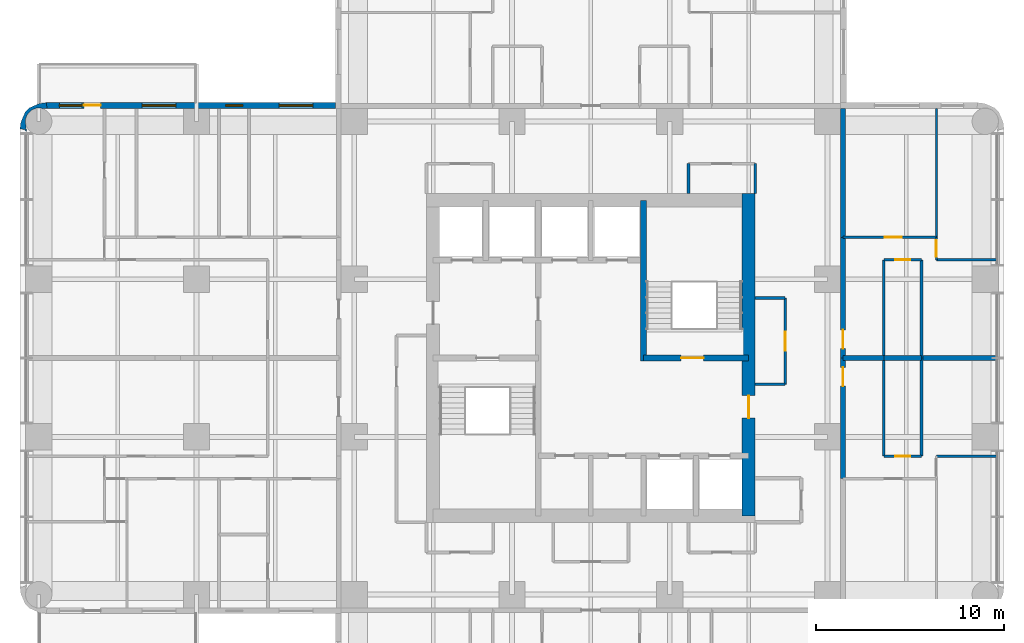
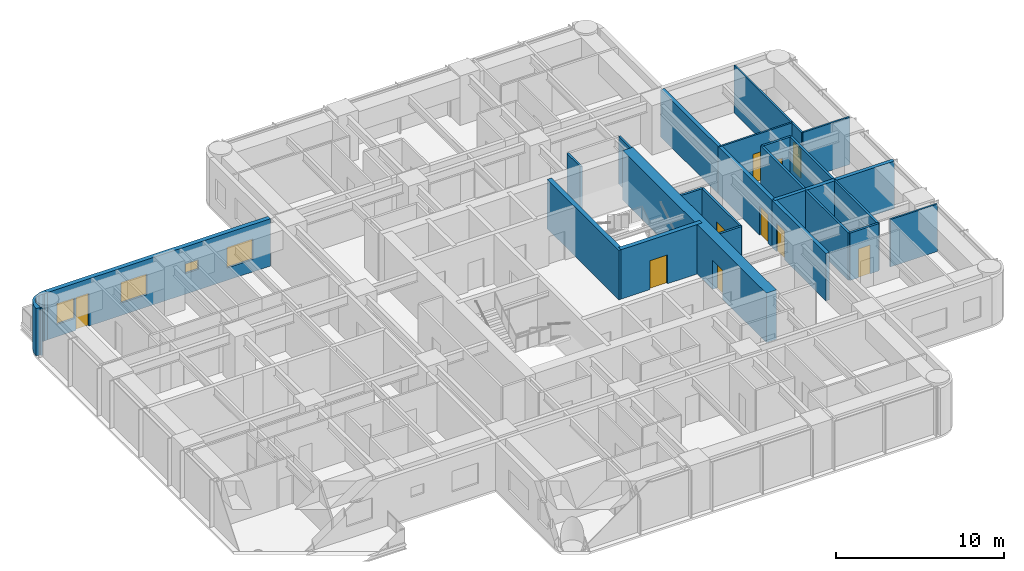
# One storey, part 8 of 11: 27 walls, 10 doors, 4 windows, 14 openings.
"""IFC4 building model written with IfcOpenShell, lengths in metres."""

from ifc_helpers import new_model, si_unit, direction, frame, frame_2d, origin, place, context, subcontext, project, spatial, polyline, rectangle, outline, extrude, material, layer, layer_set, type_object, element, fill, save


model = new_model("IFC4")

# Units and contexts
model_context = context("Model", 3, precision=1e-05, world=origin(), true_north=direction((0.0, 1.0)))
body_context = subcontext(model_context, "Body", "Model", "MODEL_VIEW")
ifc_project = project(units=[si_unit("LENGTHUNIT", "METRE"), si_unit("AREAUNIT", "SQUARE_METRE"), si_unit("VOLUMEUNIT", "CUBIC_METRE"), si_unit("PLANEANGLEUNIT", "RADIAN"), si_unit("MASSUNIT", "GRAM", prefix="KILO")], contexts=[model_context])

# Site, building, storey
site_placement = place(None, origin())
site = spatial("IfcSite", under=ifc_project, at=site_placement, CompositionType="ELEMENT")
building_placement = place(site_placement, origin())
building = spatial("IfcBuilding", under=site, at=building_placement, Name="Torre Alcanfor", CompositionType="ELEMENT")
storey_placement = place(building_placement, frame((0.0, 0.0, 194.10009765625)))
storey = spatial("IfcBuildingStorey", under=building, at=storey_placement, Name="L50", CompositionType="ELEMENT", Elevation=194.10009765625)

# Wall, opening, door
ifc_material_1 = material(Name="Concrete block masonry, hollow blocks NMX-C-404 9 MPa", Category="masonry")
ifc_layer_1 = layer(ifc_material_1, 0.25)
ifc_layer_set_1 = layer_set([ifc_layer_1], Name="Apartment entrance wall 250 EI 60")
wall_type_1 = type_object("IfcWallType", Name="Apartment entrance wall 250 EI 60", PredefinedType="PARTITIONING", material=ifc_layer_set_1)
wall_1_placement = place(storey_placement, frame((42.824951171875, 35.8291015625, 0.0), z_axis=(0.0, 0.0, 1.0), x_axis=(0.0, -1.0, 0.0)))
wall_1 = element("IfcWall", 1, at=wall_1_placement, inside=storey, type_object=wall_type_1, Name="Partition L50-CORR / L50-E1-LIVING", PredefinedType="PARTITIONING", context=body_context, shape_type="SweptSolid", body=[
    extrude(rectangle(XDim=6.42919921875, YDim=0.25, at=frame_2d((3.214599609375, 0.0))), origin(), (0.0, 0.0, 1.0), 3.449951171875),
])
opening_1_placement = place(wall_1_placement, frame((4.928955078125, 0.0, 0.0)))
opening_1 = element("IfcOpeningElement", 2, at=opening_1_placement, cuts=wall_1, Name="Opening D-A1", PredefinedType="OPENING", context=body_context, shape_type="SweptSolid", body=[
    extrude(rectangle(XDim=1.0, YDim=2.10009765625, at=frame_2d((0.5, 1.050048828125))), frame((0.0, 0.135009765625, 0.0), z_axis=(0.0, -1.0, 0.0), x_axis=(1.0, 0.0, 0.0)), (0.0, 0.0, 1.0), 0.27001953125),
])
ifc_material_2 = material(Name="Galvanised steel sheet ASTM A653", Category="steel")
door_type_1 = type_object("IfcDoorType", Name="Apartment entrance door FD60 1000x2100", OperationType="SINGLE_SWING_LEFT", PredefinedType="DOOR", material=ifc_material_2)
door_1_placement = place(opening_1_placement, origin())
door_1 = element("IfcDoor", 3, at=door_1_placement, inside=storey, type_object=door_type_1, Name="Apartment entrance L50-E1", OperationType="SINGLE_SWING_RIGHT", OverallHeight=2.10009765625, OverallWidth=1.0, PredefinedType="DOOR", context=body_context, shape_type="SweptSolid", body=[
    extrude(rectangle(XDim=1.0, YDim=2.10009765625, at=frame_2d((0.5, 1.050048828125))), frame((0.0, 0.02490234375, 0.0), z_axis=(0.0, -1.0, 0.0), x_axis=(1.0, 0.0, 0.0)), (0.0, 0.0, 1.0), 0.050048828125),
])
fill(opening_1, door_1)

# Wall
wall_2_placement = place(storey_placement, frame((42.824951171875, 42.699951171875, 0.0), z_axis=(0.0, 0.0, 1.0), x_axis=(0.0, -1.0, 0.0)))
element("IfcWall", 4, at=wall_2_placement, inside=storey, type_object=wall_type_1, Name="Partition L50-CORR / L50-E1-BED2", PredefinedType="PARTITIONING", context=body_context, shape_type="SweptSolid", body=[
    extrude(rectangle(XDim=6.870849609375, YDim=0.25, at=frame_2d((3.435546875, 0.0))), origin(), (0.0, 0.0, 1.0), 3.449951171875),
])

# Wall, opening, door
wall_3_placement = place(storey_placement, frame((42.824951171875, 29.39990234375, 0.0), z_axis=(0.0, 0.0, 1.0), x_axis=(0.0, -1.0, 0.0)))
wall_3 = element("IfcWall", 5, at=wall_3_placement, inside=storey, type_object=wall_type_1, Name="Partition L50-CORR / L50-E2-LIVING", PredefinedType="PARTITIONING", context=body_context, shape_type="SweptSolid", body=[
    extrude(rectangle(XDim=6.428955078125, YDim=0.25, at=frame_2d((3.21435546875, 0.0))), origin(), (0.0, 0.0, 1.0), 3.449951171875),
])
opening_2_placement = place(wall_3_placement, frame((0.5, 0.0, 0.0)))
opening_2 = element("IfcOpeningElement", 6, at=opening_2_placement, cuts=wall_3, Name="Opening D-A1", PredefinedType="OPENING", context=body_context, shape_type="SweptSolid", body=[
    extrude(rectangle(XDim=1.0, YDim=2.10009765625, at=frame_2d((0.5, 1.050048828125))), frame((0.0, 0.135009765625, 0.0), z_axis=(0.0, -1.0, 0.0), x_axis=(1.0, 0.0, 0.0)), (0.0, 0.0, 1.0), 0.27001953125),
])
door_2_placement = place(opening_2_placement, origin())
door_2 = element("IfcDoor", 7, at=door_2_placement, inside=storey, type_object=door_type_1, Name="Apartment entrance L50-E2", OperationType="SINGLE_SWING_LEFT", OverallHeight=2.10009765625, OverallWidth=1.0, PredefinedType="DOOR", context=body_context, shape_type="SweptSolid", body=[
    extrude(rectangle(XDim=1.0, YDim=2.10009765625, at=frame_2d((0.5, 1.050048828125))), frame((0.0, 0.02490234375, 0.0), z_axis=(0.0, -1.0, 0.0), x_axis=(1.0, 0.0, 0.0)), (0.0, 0.0, 1.0), 0.050048828125),
])
fill(opening_2, door_2)

ifc_material_3 = material(Name="Gypsum board on steel studs", Category="steel")
ifc_layer_2 = layer(ifc_material_3, 0.1201171875)
ifc_layer_set_2 = layer_set([ifc_layer_2], Name="Apartment partition 120")
wall_type_2 = type_object("IfcWallType", Name="Apartment partition 120", PredefinedType="PARTITIONING", material=ifc_layer_set_2)
wall_4_placement = place(storey_placement, frame((42.824951171875, 35.8291015625, 0.0), z_axis=(0.0, 0.0, 1.0), x_axis=(1.0, 0.0, 0.0)))
wall_4 = element("IfcWall", 8, at=wall_4_placement, inside=storey, type_object=wall_type_2, Name="Partition L50-E1-LIVING / L50-E1-BED2", PredefinedType="PARTITIONING", context=body_context, shape_type="SweptSolid", body=[
    extrude(rectangle(XDim=4.97509765625, YDim=0.1201171875, at=frame_2d((2.487548828125, 0.0))), origin(), (0.0, 0.0, 1.0), 3.449951171875),
])
opening_3_placement = place(wall_4_placement, frame((2.22509765625, 0.0, 0.0)))
opening_3 = element("IfcOpeningElement", 9, at=opening_3_placement, cuts=wall_4, Name="Opening D-R1", PredefinedType="OPENING", context=body_context, shape_type="SweptSolid", body=[
    extrude(rectangle(XDim=0.89990234375, YDim=2.10009765625, at=frame_2d((0.449951171875, 1.050048828125))), frame((0.0, 0.070068359375, 0.0), z_axis=(0.0, -1.0, 0.0), x_axis=(1.0, 0.0, 0.0)), (0.0, 0.0, 1.0), 0.14013671875),
])
ifc_material_4 = material(Name="Timber", Category="wood")
door_type_2 = type_object("IfcDoorType", Name="Internal door 900x2100", OperationType="SINGLE_SWING_LEFT", PredefinedType="DOOR", material=ifc_material_4)
door_3_placement = place(opening_3_placement, origin())
door_3 = element("IfcDoor", 10, at=door_3_placement, inside=storey, type_object=door_type_2, Name="Door L50-E1 bed2", OperationType="SINGLE_SWING_RIGHT", OverallHeight=2.10009765625, OverallWidth=0.89990234375, PredefinedType="DOOR", context=body_context, shape_type="SweptSolid", body=[
    extrude(rectangle(XDim=0.89990234375, YDim=2.10009765625, at=frame_2d((0.449951171875, 1.050048828125))), frame((0.0, 0.02490234375, 0.0), z_axis=(0.0, -1.0, 0.0), x_axis=(1.0, 0.0, 0.0)), (0.0, 0.0, 1.0), 0.050048828125),
])
fill(opening_3, door_3)

wall_5_placement = place(storey_placement, frame((47.800048828125, 35.8291015625, 0.0), z_axis=(0.0, 0.0, 1.0), x_axis=(0.0, -1.0, 0.0)))
wall_5 = element("IfcWall", 11, at=wall_5_placement, inside=storey, type_object=wall_type_2, Name="Partition L50-E1-LIVING / L50-E1-MASTER", PredefinedType="PARTITIONING", context=body_context, shape_type="SweptSolid", body=[
    extrude(rectangle(XDim=1.2001953125, YDim=0.1201171875, at=frame_2d((0.60009765625, 0.0))), origin(), (0.0, 0.0, 1.0), 3.449951171875),
])
opening_4_placement = place(wall_5_placement, frame((0.14892578125, 0.0, 0.0)))
opening_4 = element("IfcOpeningElement", 12, at=opening_4_placement, cuts=wall_5, Name="Opening D-R1", PredefinedType="OPENING", context=body_context, shape_type="SweptSolid", body=[
    extrude(rectangle(XDim=0.89990234375, YDim=2.10009765625, at=frame_2d((0.449951171875, 1.050048828125))), frame((0.0, 0.070068359375, 0.0), z_axis=(0.0, -1.0, 0.0), x_axis=(1.0, 0.0, 0.0)), (0.0, 0.0, 1.0), 0.14013671875),
])
door_4_placement = place(opening_4_placement, origin())
door_4 = element("IfcDoor", 13, at=door_4_placement, inside=storey, type_object=door_type_2, Name="Door L50-E1 master", OperationType="SINGLE_SWING_RIGHT", OverallHeight=2.10009765625, OverallWidth=0.89990234375, PredefinedType="DOOR", context=body_context, shape_type="SweptSolid", body=[
    extrude(rectangle(XDim=0.89990234375, YDim=2.10009765625, at=frame_2d((0.449951171875, 1.050048828125))), frame((0.0, 0.02490234375, 0.0), z_axis=(0.0, -1.0, 0.0), x_axis=(1.0, 0.0, 0.0)), (0.0, 0.0, 1.0), 0.050048828125),
])
fill(opening_4, door_4)

# Walls
wall_6_placement = place(storey_placement, frame((47.800048828125, 34.62890625, 0.0), z_axis=(0.0, 0.0, 1.0), x_axis=(1.0, 0.0, 0.0)))
element("IfcWall", 14, at=wall_6_placement, inside=storey, type_object=wall_type_2, Name="Partition L50-E1-LIVING / L50-E1-MASTER", PredefinedType="PARTITIONING", context=body_context, shape_type="SweptSolid", body=[
    extrude(rectangle(XDim=3.25, YDim=0.1201171875, at=frame_2d((1.625, 0.0))), origin(), (0.0, 0.0, 1.0), 3.449951171875),
])
wall_7_placement = place(storey_placement, frame((47.800048828125, 35.8291015625, 0.0), z_axis=(0.0, 0.0, 1.0), x_axis=(0.0, 1.0, 0.0)))
element("IfcWall", 15, at=wall_7_placement, inside=storey, type_object=wall_type_2, Name="Partition L50-E1-BED2 / L50-E1-MASTER", PredefinedType="PARTITIONING", context=body_context, shape_type="SweptSolid", body=[
    extrude(rectangle(XDim=6.870849609375, YDim=0.1201171875, at=frame_2d((3.435546875, 0.0))), origin(), (0.0, 0.0, 1.0), 3.449951171875),
])
wall_8_placement = place(storey_placement, frame((51.050048828125, 24.1708984375, 0.0), z_axis=(0.0, 0.0, 1.0), x_axis=(-1.0, 0.0, 0.0)))
element("IfcWall", 16, at=wall_8_placement, inside=storey, type_object=wall_type_2, Name="Partition L50-E2-LIVING / L50-E2-MASTER", PredefinedType="PARTITIONING", context=body_context, shape_type="SweptSolid", body=[
    extrude(rectangle(XDim=3.25, YDim=0.1201171875, at=frame_2d((1.625, 0.0))), origin(), (0.0, 0.0, 1.0), 3.449951171875),
])
ifc_material_5 = material(Name="Concrete f'c 70 MPa", Category="concrete")
ifc_layer_3 = layer(ifc_material_5, 0.300048828125)
ifc_layer_set_3 = layer_set([ifc_layer_3], Name="Core inner wall 300 f'c70")
wall_type_3 = type_object("IfcWallType", Name="Core inner wall 300 f'c70", PredefinedType="SHEAR", material=ifc_layer_set_3)
wall_9_placement = place(storey_placement, frame((32.199951171875, 29.25, 0.0), z_axis=(0.0, 0.0, 1.0), x_axis=(0.0, 1.0, 0.0)))
element("IfcWall", 17, at=wall_9_placement, inside=storey, type_object=wall_type_3, Name="Core wall X322N L50", PredefinedType="SHEAR", context=body_context, shape_type="SweptSolid", body=[
    extrude(rectangle(XDim=8.550048828125, YDim=0.300048828125, at=frame_2d((4.27490234375, 0.0))), origin(), (0.0, 0.0, 1.0), 3.599853515625),
])

# Wall, opening, door
wall_10_placement = place(storey_placement, frame((32.199951171875, 29.39990234375, 0.0), z_axis=(0.0, 0.0, 1.0), x_axis=(1.0, 0.0, 0.0)))
wall_10 = element("IfcWall", 18, at=wall_10_placement, inside=storey, type_object=wall_type_3, Name="Core wall Y294E L50", PredefinedType="SHEAR", context=body_context, shape_type="SweptSolid", body=[
    extrude(rectangle(XDim=5.60009765625, YDim=0.300048828125, at=frame_2d((2.800048828125, 0.0))), origin(), (0.0, 0.0, 1.0), 3.599853515625),
])
opening_5_placement = place(wall_10_placement, frame((2.0, 0.0, 0.0)))
opening_5 = element("IfcOpeningElement", 19, at=opening_5_placement, cuts=wall_10, Name="Opening D-S2", PredefinedType="OPENING", context=body_context, shape_type="SweptSolid", body=[
    extrude(rectangle(XDim=1.199951171875, YDim=2.10009765625, at=frame_2d((0.60009765625, 1.050048828125))), frame((0.0, 0.159912109375, 0.0), z_axis=(0.0, -1.0, 0.0), x_axis=(1.0, 0.0, 0.0)), (0.0, 0.0, 1.0), 0.320068359375),
])
ifc_material_6 = material(Name="Galvanised steel sheet ASTM A653", Category="steel")
door_type_3 = type_object("IfcDoorType", Name="Stair enclosure door FD120 1200x2100", OperationType="SINGLE_SWING_LEFT", PredefinedType="DOOR", material=ifc_material_6)
door_5_placement = place(opening_5_placement, origin())
door_5 = element("IfcDoor", 20, at=door_5_placement, inside=storey, type_object=door_type_3, Name="Stair S2 door L50", OperationType="SINGLE_SWING_LEFT", OverallHeight=2.10009765625, OverallWidth=1.199951171875, PredefinedType="DOOR", context=body_context, shape_type="SweptSolid", body=[
    extrude(rectangle(XDim=1.199951171875, YDim=2.10009765625, at=frame_2d((0.60009765625, 1.050048828125))), frame((0.0, 0.02490234375, 0.0), z_axis=(0.0, -1.0, 0.0), x_axis=(1.0, 0.0, 0.0)), (0.0, 0.0, 1.0), 0.050048828125),
])
fill(opening_5, door_5)

ifc_material_7 = material(Name="Concrete f'c 70 MPa", Category="concrete")
ifc_layer_4 = layer(ifc_material_7, 0.699951171875)
ifc_layer_set_4 = layer_set([ifc_layer_4], Name="Core wall 700 f'c70")
wall_type_4 = type_object("IfcWallType", Name="Core wall 700 f'c70", PredefinedType="SHEAR", material=ifc_layer_set_4)
wall_11_placement = place(storey_placement, frame((37.800048828125, 21.0, 0.0), z_axis=(0.0, 0.0, 1.0), x_axis=(0.0, 1.0, 0.0)))
wall_11 = element("IfcWall", 21, at=wall_11_placement, inside=storey, type_object=wall_type_4, Name="Core wall OUT-E L50", PredefinedType="SHEAR", context=body_context, shape_type="SweptSolid", body=[
    extrude(rectangle(XDim=17.14990234375, YDim=0.699951171875, at=frame_2d((8.574951171875, 0.0))), origin(), (0.0, 0.0, 1.0), 3.599853515625),
])
opening_6_placement = place(wall_11_placement, frame((5.199951171875, 0.0, 0.0)))
opening_6 = element("IfcOpeningElement", 22, at=opening_6_placement, cuts=wall_11, Name="Opening D-L1", PredefinedType="OPENING", context=body_context, shape_type="SweptSolid", body=[
    extrude(rectangle(XDim=1.199951171875, YDim=2.10009765625, at=frame_2d((0.60009765625, 1.050048828125))), frame((0.0, 0.35986328125, 0.0), z_axis=(0.0, -1.0, 0.0), x_axis=(1.0, 0.0, 0.0)), (0.0, 0.0, 1.0), 0.719970703125),
])
ifc_material_8 = material(Name="Galvanised steel sheet ASTM A653", Category="steel")
door_type_4 = type_object("IfcDoorType", Name="Lobby door FD120 1200x2100", OperationType="SINGLE_SWING_LEFT", PredefinedType="DOOR", material=ifc_material_8)
door_6_placement = place(opening_6_placement, origin())
door_6 = element("IfcDoor", 23, at=door_6_placement, inside=storey, type_object=door_type_4, Name="Lift lobby entrance door L50", OperationType="SINGLE_SWING_LEFT", OverallHeight=2.10009765625, OverallWidth=1.199951171875, PredefinedType="DOOR", context=body_context, shape_type="SweptSolid", body=[
    extrude(rectangle(XDim=1.199951171875, YDim=2.10009765625, at=frame_2d((0.60009765625, 1.050048828125))), frame((0.0, 0.02490234375, 0.0), z_axis=(0.0, -1.0, 0.0), x_axis=(1.0, 0.0, 0.0)), (0.0, 0.0, 1.0), 0.050048828125),
])
fill(opening_6, door_6)

# Wall, openings, door, windows
ifc_material_9 = material(Name="Limestone cladding", Category="masonry")
ifc_layer_5 = layer(ifc_material_9, 0.0400390625, Name="Facing")
ifc_material_10 = material(Name="Ventilated air cavity")
ifc_layer_6 = layer(ifc_material_10, 0.02001953125, ventilated=True, Name="Ventilated joint")
ifc_material_11 = material(Name="Mineral wool insulation", Category="insulation")
ifc_layer_7 = layer(ifc_material_11, 0.10009765625, Name="Insulation")
ifc_material_12 = material(Name="Concrete f'c 35 MPa", Category="concrete")
ifc_layer_8 = layer(ifc_material_12, 0.139892578125, Name="Backing")
ifc_layer_set_5 = layer_set([ifc_layer_5, ifc_layer_6, ifc_layer_7, ifc_layer_8], Name="External wall stone-clad 300")
wall_type_5 = type_object("IfcWallType", Name="External wall stone-clad 300", PredefinedType="SOLIDWALL", material=ifc_layer_set_5)
wall_12_placement = place(storey_placement, frame((15.800048828125, 42.85009765625, 0.0), z_axis=(0.0, 0.0, 1.0), x_axis=(-1.0, 0.0, 0.0)))
wall_12 = element("IfcWall", 24, at=wall_12_placement, inside=storey, type_object=wall_type_5, Name="External wall L50 1", PredefinedType="SOLIDWALL", context=body_context, shape_type="SweptSolid", body=[
    extrude(rectangle(XDim=15.400146484375, YDim=0.300048828125, at=frame_2d((7.7001953125, 0.0))), origin(), (0.0, 0.0, 1.0), 3.449951171875),
])
opening_7_placement = place(wall_12_placement, frame((1.199951171875, 0.0, 0.89990234375)))
opening_7 = element("IfcOpeningElement", 25, at=opening_7_placement, cuts=wall_12, Name="Opening W2", PredefinedType="OPENING", context=body_context, shape_type="SweptSolid", body=[
    extrude(rectangle(XDim=1.800048828125, YDim=1.5, at=frame_2d((0.89990234375, 0.75))), frame((0.0, 0.159912109375, 0.0), z_axis=(0.0, -1.0, 0.0), x_axis=(1.0, 0.0, 0.0)), (0.0, 0.0, 1.0), 0.320068359375),
])
opening_8_placement = place(wall_12_placement, frame((4.949951171875, 0.0, 1.5)))
opening_8 = element("IfcOpeningElement", 26, at=opening_8_placement, cuts=wall_12, Name="Opening W3", PredefinedType="OPENING", context=body_context, shape_type="SweptSolid", body=[
    extrude(rectangle(XDim=0.89990234375, YDim=0.699951171875, at=frame_2d((0.449951171875, 0.35009765625))), frame((0.0, 0.159912109375, 0.0), z_axis=(0.0, -1.0, 0.0), x_axis=(1.0, 0.0, 0.0)), (0.0, 0.0, 1.0), 0.320068359375),
])
opening_9_placement = place(wall_12_placement, frame((8.5, 0.0, 0.89990234375)))
opening_9 = element("IfcOpeningElement", 27, at=opening_9_placement, cuts=wall_12, Name="Opening W2", PredefinedType="OPENING", context=body_context, shape_type="SweptSolid", body=[
    extrude(rectangle(XDim=1.800048828125, YDim=1.5, at=frame_2d((0.89990234375, 0.75))), frame((0.0, 0.159912109375, 0.0), z_axis=(0.0, -1.0, 0.0), x_axis=(1.0, 0.0, 0.0)), (0.0, 0.0, 1.0), 0.320068359375),
])
opening_10_placement = place(wall_12_placement, frame((12.5, 0.0, 0.0)))
opening_10 = element("IfcOpeningElement", 28, at=opening_10_placement, cuts=wall_12, Name="Opening D-B1", PredefinedType="OPENING", context=body_context, shape_type="SweptSolid", body=[
    extrude(rectangle(XDim=0.89990234375, YDim=2.39990234375, at=frame_2d((0.449951171875, 1.199951171875))), frame((0.0, 0.159912109375, 0.0), z_axis=(0.0, -1.0, 0.0), x_axis=(1.0, 0.0, 0.0)), (0.0, 0.0, 1.0), 0.320068359375),
])
opening_11_placement = place(wall_12_placement, frame((13.5, 0.0, 0.89990234375)))
opening_11 = element("IfcOpeningElement", 29, at=opening_11_placement, cuts=wall_12, Name="Opening W4", PredefinedType="OPENING", context=body_context, shape_type="SweptSolid", body=[
    extrude(rectangle(XDim=1.199951171875, YDim=1.5, at=frame_2d((0.60009765625, 0.75))), frame((0.0, 0.159912109375, 0.0), z_axis=(0.0, -1.0, 0.0), x_axis=(1.0, 0.0, 0.0)), (0.0, 0.0, 1.0), 0.320068359375),
])
ifc_material_13 = material(Name="Aluminium and glass", Category="aluminium")
door_type_5 = type_object("IfcDoorType", Name="Balcony door glazed 900x2400", OperationType="SINGLE_SWING_LEFT", PredefinedType="DOOR", material=ifc_material_13)
door_7_placement = place(opening_10_placement, origin())
door_7 = element("IfcDoor", 30, at=door_7_placement, inside=storey, type_object=door_type_5, Name="Balcony door L50-W2", OperationType="SINGLE_SWING_LEFT", OverallHeight=2.39990234375, OverallWidth=0.89990234375, PredefinedType="DOOR", context=body_context, shape_type="SweptSolid", body=[
    extrude(rectangle(XDim=0.89990234375, YDim=2.39990234375, at=frame_2d((0.449951171875, 1.199951171875))), frame((0.0, 0.02490234375, 0.0), z_axis=(0.0, -1.0, 0.0), x_axis=(1.0, 0.0, 0.0)), (0.0, 0.0, 1.0), 0.050048828125),
])
fill(opening_10, door_7)
ifc_material_14 = material(Name="Aluminium frame with clear double glazing", Category="aluminium")
window_type_1 = type_object("IfcWindowType", Name="Window bathroom 900x700", PartitioningType="SINGLE_PANEL", PredefinedType="WINDOW", material=ifc_material_14)
window_1_placement = place(opening_8_placement, origin())
window_1 = element("IfcWindow", 31, at=window_1_placement, inside=storey, type_object=window_type_1, Name="Window W3 L50-W2", OverallHeight=0.699951171875, OverallWidth=0.89990234375, PartitioningType="SINGLE_PANEL", PredefinedType="WINDOW", context=body_context, shape_type="SweptSolid", body=[
    extrude(rectangle(XDim=0.89990234375, YDim=0.699951171875, at=frame_2d((0.449951171875, 0.35009765625))), frame((0.0, 0.030029296875, 0.0), z_axis=(0.0, -1.0, 0.0), x_axis=(1.0, 0.0, 0.0)), (0.0, 0.0, 1.0), 0.06005859375),
])
fill(opening_8, window_1)
ifc_material_15 = material(Name="Aluminium frame with clear double glazing", Category="aluminium")
window_type_2 = type_object("IfcWindowType", Name="Window bedroom 1200x1500", PartitioningType="SINGLE_PANEL", PredefinedType="WINDOW", material=ifc_material_15)
window_2_placement = place(opening_11_placement, origin())
window_2 = element("IfcWindow", 32, at=window_2_placement, inside=storey, type_object=window_type_2, Name="Window W4 L50-W2", OverallHeight=1.5, OverallWidth=1.199951171875, PartitioningType="SINGLE_PANEL", PredefinedType="WINDOW", context=body_context, shape_type="SweptSolid", body=[
    extrude(rectangle(XDim=1.199951171875, YDim=1.5, at=frame_2d((0.60009765625, 0.75))), frame((0.0, 0.030029296875, 0.0), z_axis=(0.0, -1.0, 0.0), x_axis=(1.0, 0.0, 0.0)), (0.0, 0.0, 1.0), 0.06005859375),
])
fill(opening_11, window_2)
ifc_material_16 = material(Name="Aluminium frame with clear double glazing", Category="aluminium")
window_type_3 = type_object("IfcWindowType", Name="Window bedroom 1800x1500", PartitioningType="SINGLE_PANEL", PredefinedType="WINDOW", material=ifc_material_16)
window_3_placement = place(opening_7_placement, origin())
window_3 = element("IfcWindow", 33, at=window_3_placement, inside=storey, type_object=window_type_3, Name="Window W2 L50-W2", OverallHeight=1.5, OverallWidth=1.800048828125, PartitioningType="SINGLE_PANEL", PredefinedType="WINDOW", context=body_context, shape_type="SweptSolid", body=[
    extrude(rectangle(XDim=1.800048828125, YDim=1.5, at=frame_2d((0.89990234375, 0.75))), frame((0.0, 0.030029296875, 0.0), z_axis=(0.0, -1.0, 0.0), x_axis=(1.0, 0.0, 0.0)), (0.0, 0.0, 1.0), 0.06005859375),
])
fill(opening_7, window_3)
window_4_placement = place(opening_9_placement, origin())
window_4 = element("IfcWindow", 34, at=window_4_placement, inside=storey, type_object=window_type_3, Name="Window W2 L50-W2", OverallHeight=1.5, OverallWidth=1.800048828125, PartitioningType="SINGLE_PANEL", PredefinedType="WINDOW", context=body_context, shape_type="SweptSolid", body=[
    extrude(rectangle(XDim=1.800048828125, YDim=1.5, at=frame_2d((0.89990234375, 0.75))), frame((0.0, 0.030029296875, 0.0), z_axis=(0.0, -1.0, 0.0), x_axis=(1.0, 0.0, 0.0)), (0.0, 0.0, 1.0), 0.06005859375),
])
fill(opening_9, window_4)

# Walls
ifc_material_17 = material(Name="Concrete block masonry, hollow blocks NMX-C-404 9 MPa", Category="masonry")
ifc_layer_9 = layer(ifc_material_17, 0.25)
ifc_layer_set_6 = layer_set([ifc_layer_9], Name="Party wall 250 EI 60")
wall_type_6 = type_object("IfcWallType", Name="Party wall 250 EI 60", PredefinedType="PARTITIONING", material=ifc_layer_set_6)
wall_13_placement = place(storey_placement, frame((45.0, 29.39990234375, 0.0), z_axis=(0.0, 0.0, 1.0), x_axis=(1.0, 0.0, 0.0)))
element("IfcWall", 35, at=wall_13_placement, inside=storey, type_object=wall_type_6, Name="Partition L50-E1-BATH / L50-E2-BATH", PredefinedType="PARTITIONING", context=body_context, shape_type="SweptSolid", body=[
    extrude(rectangle(XDim=2.0, YDim=0.25, at=frame_2d((1.0, 0.0))), origin(), (0.0, 0.0, 1.0), 3.449951171875),
])
wall_14_placement = place(storey_placement, frame((45.0, 29.39990234375, 0.0), z_axis=(0.0, 0.0, 1.0), x_axis=(-1.0, 0.0, 0.0)))
element("IfcWall", 36, at=wall_14_placement, inside=storey, type_object=wall_type_6, Name="Partition L50-E1-LIVING / L50-E2-LIVING", PredefinedType="PARTITIONING", context=body_context, shape_type="SweptSolid", body=[
    extrude(rectangle(XDim=2.175048828125, YDim=0.25, at=frame_2d((1.08740234375, 0.0))), origin(), (0.0, 0.0, 1.0), 3.449951171875),
])
wall_15_placement = place(storey_placement, frame((51.050048828125, 29.39990234375, 0.0), z_axis=(0.0, 0.0, 1.0), x_axis=(-1.0, 0.0, 0.0)))
element("IfcWall", 37, at=wall_15_placement, inside=storey, type_object=wall_type_6, Name="Partition L50-E1-LIVING / L50-E2-LIVING", PredefinedType="PARTITIONING", context=body_context, shape_type="SweptSolid", body=[
    extrude(rectangle(XDim=4.050048828125, YDim=0.25, at=frame_2d((2.02490234375, 0.0))), origin(), (0.0, 0.0, 1.0), 3.449951171875),
])
ifc_material_18 = material(Name="Concrete block masonry, hollow blocks NMX-C-404 9 MPa", Category="masonry")
ifc_layer_10 = layer(ifc_material_18, 0.14990234375)
ifc_layer_set_7 = layer_set([ifc_layer_10], Name="Residents' room partition 150")
wall_type_7 = type_object("IfcWallType", Name="Residents' room partition 150", PredefinedType="PARTITIONING", material=ifc_layer_set_7)
for number, where, z_axis, x_axis, name in (
    (38, (38.14990234375, 38.14990234375, 0.0), (0.0, 0.0, 1.0), (0.0, 1.0, 0.0), "Partition L50-CORR / L50-G02"),
    (39, (34.60009765625, 39.75, 0.0), (0.0, 0.0, 1.0), (0.0, -1.0, 0.0), "Partition L50-CORR / L50-G02"),
    (40, (38.14990234375, 28.0, 0.0), (0.0, 0.0, 1.0), (1.0, 0.0, 0.0), "Partition L50-CORR / L50-G04"),
):
    element("IfcWall", number, at=place(storey_placement, frame(where, z_axis=z_axis, x_axis=x_axis)), inside=storey, type_object=wall_type_7, Name=name, PredefinedType="PARTITIONING", context=body_context, shape_type="SweptSolid", body=[
        extrude(rectangle(XDim=1.60009765625, YDim=0.14990234375, at=frame_2d((0.800048828125, 0.0))), origin(), (0.0, 0.0, 1.0), 3.449951171875),
    ])

# Wall, opening, door
wall_16_placement = place(storey_placement, frame((39.75, 28.0, 0.0), z_axis=(0.0, 0.0, 1.0), x_axis=(0.0, 1.0, 0.0)))
wall_16 = element("IfcWall", 41, at=wall_16_placement, inside=storey, type_object=wall_type_7, Name="Partition L50-CORR / L50-G04", PredefinedType="PARTITIONING", context=body_context, shape_type="SweptSolid", body=[
    extrude(rectangle(XDim=4.60009765625, YDim=0.14990234375, at=frame_2d((2.300048828125, 0.0))), origin(), (0.0, 0.0, 1.0), 3.449951171875),
])
opening_12_placement = place(wall_16_placement, frame((1.800048828125, 0.0, 0.0)))
opening_12 = element("IfcOpeningElement", 42, at=opening_12_placement, cuts=wall_16, Name="Opening D-M1", PredefinedType="OPENING", context=body_context, shape_type="SweptSolid", body=[
    extrude(rectangle(XDim=1.0, YDim=2.10009765625, at=frame_2d((0.5, 1.050048828125))), frame((0.0, 0.0849609375, 0.0), z_axis=(0.0, -1.0, 0.0), x_axis=(1.0, 0.0, 0.0)), (0.0, 0.0, 1.0), 0.169921875),
])
ifc_material_19 = material(Name="Timber", Category="wood")
door_type_6 = type_object("IfcDoorType", Name="Residents' room door 1000x2100", OperationType="SINGLE_SWING_LEFT", PredefinedType="DOOR", material=ifc_material_19)
door_8_placement = place(opening_12_placement, origin())
door_8 = element("IfcDoor", 43, at=door_8_placement, inside=storey, type_object=door_type_6, Name="Door L50-G04 parcel room", OperationType="SINGLE_SWING_LEFT", OverallHeight=2.10009765625, OverallWidth=1.0, PredefinedType="DOOR", context=body_context, shape_type="SweptSolid", body=[
    extrude(rectangle(XDim=1.0, YDim=2.10009765625, at=frame_2d((0.5, 1.050048828125))), frame((0.0, 0.02490234375, 0.0), z_axis=(0.0, -1.0, 0.0), x_axis=(1.0, 0.0, 0.0)), (0.0, 0.0, 1.0), 0.050048828125),
])
fill(opening_12, door_8)

# Walls
wall_17_placement = place(storey_placement, frame((39.75, 32.60009765625, 0.0), z_axis=(0.0, 0.0, 1.0), x_axis=(-1.0, 0.0, 0.0)))
element("IfcWall", 44, at=wall_17_placement, inside=storey, type_object=wall_type_7, Name="Partition L50-CORR / L50-G04", PredefinedType="PARTITIONING", context=body_context, shape_type="SweptSolid", body=[
    extrude(rectangle(XDim=1.60009765625, YDim=0.14990234375, at=frame_2d((0.800048828125, 0.0))), origin(), (0.0, 0.0, 1.0), 3.449951171875),
])
ifc_layer_11 = layer(ifc_material_9, 0.0400390625, Name="Facing")
ifc_layer_12 = layer(ifc_material_10, 0.02001953125, ventilated=True, Name="Ventilated joint")
ifc_layer_13 = layer(ifc_material_11, 0.10009765625, Name="Insulation")
ifc_layer_14 = layer(ifc_material_12, 0.139892578125, Name="Backing")
ifc_layer_set_8 = layer_set([ifc_layer_11, ifc_layer_12, ifc_layer_13, ifc_layer_14], Name="Rounded corner pier stone-clad 300")
wall_type_8 = type_object("IfcWallType", Name="Rounded corner pier stone-clad 300", PredefinedType="SOLIDWALL", material=ifc_layer_set_8)
wall_18_placement = place(storey_placement, frame((0.289684728, 42.724211819, 0.0), z_axis=(0.0, 0.0, 1.0), x_axis=(-0.898030234854, 0.439933741929, 0.0)))
element("IfcWall", 45, at=wall_18_placement, inside=storey, type_object=wall_type_8, Name="Corner pier L50 13", PredefinedType="SOLIDWALL", context=body_context, shape_type="SweptSolid", body=[
    extrude(outline(polyline([(-0.1451696260029872, -0.04410137667948781), (0.022349775089968618, -0.29615457307685267), (0.3267662274453961, -0.09401161193946184), (0.5684395137438579, 0.1801582341686725), (0.5775438768187978, 0.19875519044837203), (0.6998681881563861, 0.337520421761322), (0.8105897526086489, 0.6609052696654318), (0.798987005723323, 0.8455248862565916), (0.8031915983754734, 0.8657994419976891), (0.7802772818432999, 1.230559659021311), (0.6636401292003462, 1.5768643338748296), (0.426274926498842, 1.4970116570996908), (0.3818262033461368, 1.5361339555879763), (0.27609856791259557, 1.5721508582913652), (0.34924184873618547, 1.4228445619203098), (0.3919947529834039, 1.4437886731693554), (0.4531844604451624, 1.2611683721887113), (0.5096660727895201, 1.2113572307370708), (0.632323380719828, 0.9609786838123349), (0.6499334439144826, 0.6825189735513317), (0.5596785928912745, 0.41891132480525434), (0.37509146330548054, 0.2096805523179385), (0.12471291638074464, 0.0870232443876307), (0.04955403003282338, 0.08228360846554762), (-0.12741072731568104, -0.035401515083730434), (-0.1451696260029872, -0.04410137667948781)])), origin(), (0.0, 0.0, 1.0), 3.449951171875),
])
ifc_material_20 = material(Name="Cement board on steel studs", Category="steel")
ifc_layer_15 = layer(ifc_material_20, 0.14990234375)
ifc_layer_set_9 = layer_set([ifc_layer_15], Name="Wet area partition 150")
wall_type_9 = type_object("IfcWallType", Name="Wet area partition 150", PredefinedType="PARTITIONING", material=ifc_layer_set_9)
wall_19_placement = place(storey_placement, frame((47.0, 29.39990234375, 0.0), z_axis=(0.0, 0.0, 1.0), x_axis=(0.0, 1.0, 0.0)))
element("IfcWall", 46, at=wall_19_placement, inside=storey, type_object=wall_type_9, Name="Partition L50-E1-BATH / L50-E1-LIVING", PredefinedType="PARTITIONING", context=body_context, shape_type="SweptSolid", body=[
    extrude(rectangle(XDim=5.22900390625, YDim=0.14990234375, at=frame_2d((2.614501953125, 0.0))), origin(), (0.0, 0.0, 1.0), 3.449951171875),
])

# Wall, opening, door
wall_20_placement = place(storey_placement, frame((47.0, 34.62890625, 0.0), z_axis=(0.0, 0.0, 1.0), x_axis=(-1.0, 0.0, 0.0)))
wall_20 = element("IfcWall", 47, at=wall_20_placement, inside=storey, type_object=wall_type_9, Name="Partition L50-E1-BATH / L50-E1-LIVING", PredefinedType="PARTITIONING", context=body_context, shape_type="SweptSolid", body=[
    extrude(rectangle(XDim=2.0, YDim=0.14990234375, at=frame_2d((1.0, 0.0))), origin(), (0.0, 0.0, 1.0), 3.449951171875),
])
opening_13_placement = place(wall_20_placement, frame((0.60009765625, 0.0, 0.0)))
opening_13 = element("IfcOpeningElement", 48, at=opening_13_placement, cuts=wall_20, Name="Opening D-R2", PredefinedType="OPENING", context=body_context, shape_type="SweptSolid", body=[
    extrude(rectangle(XDim=0.800048828125, YDim=2.10009765625, at=frame_2d((0.39990234375, 1.050048828125))), frame((0.0, 0.0849609375, 0.0), z_axis=(0.0, -1.0, 0.0), x_axis=(1.0, 0.0, 0.0)), (0.0, 0.0, 1.0), 0.169921875),
])
ifc_material_21 = material(Name="Timber", Category="wood")
door_type_7 = type_object("IfcDoorType", Name="Bathroom door 800x2100", OperationType="SINGLE_SWING_LEFT", PredefinedType="DOOR", material=ifc_material_21)
door_9_placement = place(opening_13_placement, origin())
door_9 = element("IfcDoor", 49, at=door_9_placement, inside=storey, type_object=door_type_7, Name="Door L50-E1 bath", OperationType="SINGLE_SWING_LEFT", OverallHeight=2.10009765625, OverallWidth=0.800048828125, PredefinedType="DOOR", context=body_context, shape_type="SweptSolid", body=[
    extrude(rectangle(XDim=0.800048828125, YDim=2.10009765625, at=frame_2d((0.39990234375, 1.050048828125))), frame((0.0, 0.02490234375, 0.0), z_axis=(0.0, -1.0, 0.0), x_axis=(1.0, 0.0, 0.0)), (0.0, 0.0, 1.0), 0.050048828125),
])
fill(opening_13, door_9)

# Walls
for number, where, z_axis, x_axis, name in (
    (50, (45.0, 34.62890625, 0.0), (0.0, 0.0, 1.0), (0.0, -1.0, 0.0), "Partition L50-E1-BATH / L50-E1-LIVING"),
    (51, (47.0, 29.39990234375, 0.0), (0.0, 0.0, 1.0), (0.0, -1.0, 0.0), "Partition L50-E2-BATH / L50-E2-LIVING"),
):
    element("IfcWall", number, at=place(storey_placement, frame(where, z_axis=z_axis, x_axis=x_axis)), inside=storey, type_object=wall_type_9, Name=name, PredefinedType="PARTITIONING", context=body_context, shape_type="SweptSolid", body=[
        extrude(rectangle(XDim=5.22900390625, YDim=0.14990234375, at=frame_2d((2.614501953125, 0.0))), origin(), (0.0, 0.0, 1.0), 3.449951171875),
    ])

# Wall, opening, door
wall_21_placement = place(storey_placement, frame((47.0, 24.1708984375, 0.0), z_axis=(0.0, 0.0, 1.0), x_axis=(-1.0, 0.0, 0.0)))
wall_21 = element("IfcWall", 52, at=wall_21_placement, inside=storey, type_object=wall_type_9, Name="Partition L50-E2-BATH / L50-E2-LIVING", PredefinedType="PARTITIONING", context=body_context, shape_type="SweptSolid", body=[
    extrude(rectangle(XDim=2.0, YDim=0.14990234375, at=frame_2d((1.0, 0.0))), origin(), (0.0, 0.0, 1.0), 3.449951171875),
])
opening_14_placement = place(wall_21_placement, frame((0.60009765625, 0.0, 0.0)))
opening_14 = element("IfcOpeningElement", 53, at=opening_14_placement, cuts=wall_21, Name="Opening D-R2", PredefinedType="OPENING", context=body_context, shape_type="SweptSolid", body=[
    extrude(rectangle(XDim=0.800048828125, YDim=2.10009765625, at=frame_2d((0.39990234375, 1.050048828125))), frame((0.0, 0.0849609375, 0.0), z_axis=(0.0, -1.0, 0.0), x_axis=(1.0, 0.0, 0.0)), (0.0, 0.0, 1.0), 0.169921875),
])
door_10_placement = place(opening_14_placement, frame((0.800048828125, 0.0, 0.0), z_axis=(0.0, 0.0, 1.0), x_axis=(-1.0, 0.0, 0.0)))
door_10 = element("IfcDoor", 54, at=door_10_placement, inside=storey, type_object=door_type_7, Name="Door L50-E2 bath", OperationType="SINGLE_SWING_RIGHT", OverallHeight=2.10009765625, OverallWidth=0.800048828125, PredefinedType="DOOR", context=body_context, shape_type="SweptSolid", body=[
    extrude(rectangle(XDim=0.800048828125, YDim=2.10009765625, at=frame_2d((0.400146484375, 1.050048828125))), frame((0.0, 0.025146484375, 0.0), z_axis=(0.0, -1.0, 0.0), x_axis=(1.0, 0.0, 0.0)), (0.0, 0.0, 1.0), 0.050048828125),
])
fill(opening_14, door_10)

# Wall
wall_22_placement = place(storey_placement, frame((45.0, 24.1708984375, 0.0), z_axis=(0.0, 0.0, 1.0), x_axis=(0.0, 1.0, 0.0)))
element("IfcWall", 55, at=wall_22_placement, inside=storey, type_object=wall_type_9, Name="Partition L50-E2-BATH / L50-E2-LIVING", PredefinedType="PARTITIONING", context=body_context, shape_type="SweptSolid", body=[
    extrude(rectangle(XDim=5.22900390625, YDim=0.14990234375, at=frame_2d((2.614501953125, 0.0))), origin(), (0.0, 0.0, 1.0), 3.449951171875),
])

save(model, "model.ifc")
